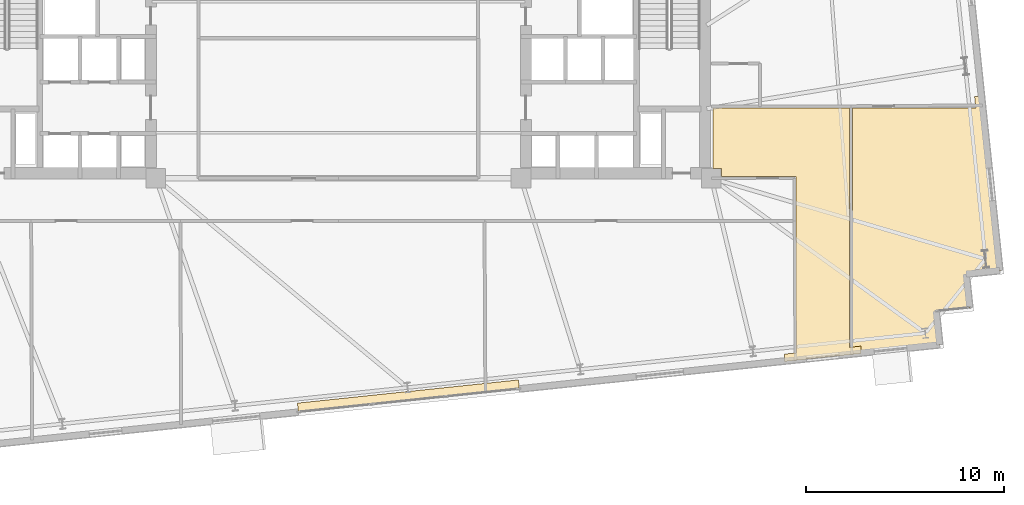
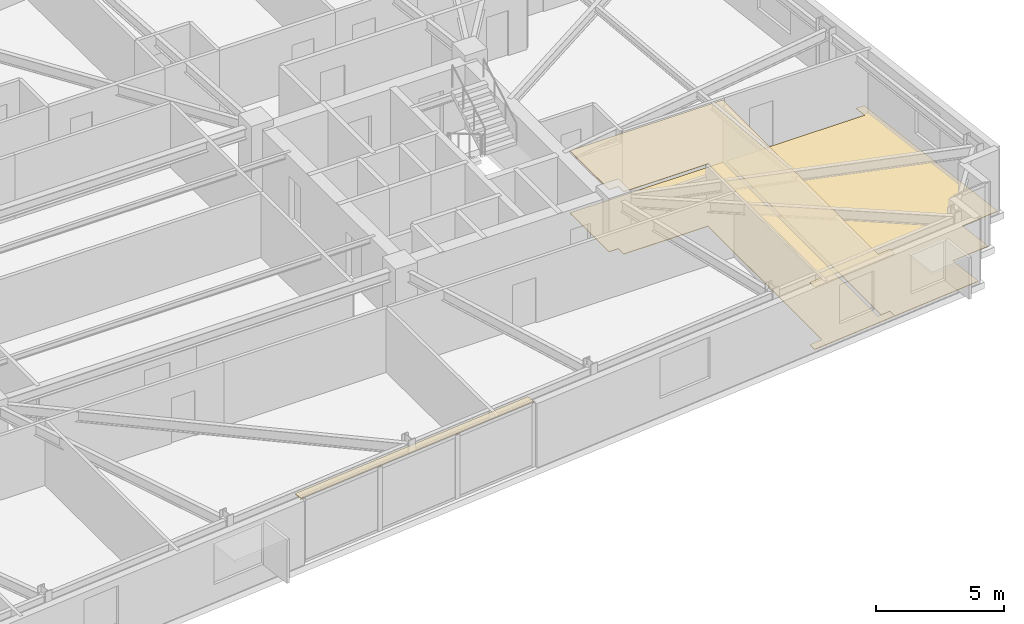
# One storey, part 22 of 23: 4 coverings.
"""IFC4 building model written with IfcOpenShell, lengths in metres."""

from ifc_helpers import new_model, si_unit, direction, frame, origin, place, context, subcontext, project, spatial, polyline, outline, extrude, material, layer, layer_set, type_object, element, save


model = new_model("IFC4")

# Units and contexts
model_context = context("Model", 3, precision=1e-05, world=origin(), true_north=direction((0.0, 1.0)))
body_context = subcontext(model_context, "Body", "Model", "MODEL_VIEW")
ifc_project = project(units=[si_unit("LENGTHUNIT", "METRE"), si_unit("AREAUNIT", "SQUARE_METRE"), si_unit("VOLUMEUNIT", "CUBIC_METRE"), si_unit("PLANEANGLEUNIT", "RADIAN"), si_unit("MASSUNIT", "GRAM", prefix="KILO")], contexts=[model_context])

# Site, building, storey
site_placement = place(None, origin())
site = spatial("IfcSite", under=ifc_project, at=site_placement, CompositionType="ELEMENT")
building_placement = place(site_placement, origin())
building = spatial("IfcBuilding", under=site, at=building_placement, Name="Qobustan Lattice House", CompositionType="ELEMENT")
storey_placement = place(building_placement, frame((0.0, 0.0, 102.449951171875)))
storey = spatial("IfcBuildingStorey", under=building, at=storey_placement, Name="L28", CompositionType="ELEMENT", Elevation=102.449951171875)

# Coverings
ifc_material_1 = material(Name="Perforated gypsum acoustic ceiling", Category="gypsum")
ifc_layer_1 = layer(ifc_material_1, 0.030029296875)
ifc_layer_set_1 = layer_set([ifc_layer_1], Name="Perforated gypsum acoustic ceiling")
covering_type_1 = type_object("IfcCoveringType", Name="COV-ACOUSTIC-CEIL", PredefinedType="CEILING", material=ifc_layer_set_1)
covering_1_placement = place(storey_placement, frame((0.0, 0.0, 2.955078125)))
element("IfcCovering", 1, at=covering_1_placement, inside=storey, type_object=covering_type_1, Name="L28 Focus study room E1A acoustic ceiling", PredefinedType="CEILING", context=body_context, shape_type="SweptSolid", body=[
    extrude(outline(polyline([(26.335693359375, -14.433349609375), (26.335693359375, -14.061279296875), (25.755859375, -14.122314453125), (25.755859375, -2.052001953125), (18.8798828125, -2.052001953125), (18.8798828125, -5.097900390625), (19.302001953125, -5.097900390625), (19.302001953125, -5.52001953125), (23.080078125, -5.52001953125), (23.080078125, -14.403564453125), (22.5, -14.46435546875), (22.5, -14.83642578125), (26.335693359375, -14.433349609375)])), origin(), (0.0, 0.0, 1.0), 0.030029296875),
])
ifc_material_2 = material(Name="Honed Absheron stone terrazzo flooring", Category="masonry")
ifc_layer_2 = layer(ifc_material_2, 0.02490234375)
ifc_layer_set_2 = layer_set([ifc_layer_2], Name="Honed Absheron stone terrazzo flooring")
covering_type_2 = type_object("IfcCoveringType", Name="COV-TERRAZZO-FLR", PredefinedType="FLOORING", material=ifc_layer_set_2)
covering_2_placement = place(storey_placement, origin())
element("IfcCovering", 2, at=covering_2_placement, inside=storey, type_object=covering_type_2, Name="L28 Focus study room E1A stone terrazzo flooring", PredefinedType="FLOORING", context=body_context, shape_type="SweptSolid", body=[
    extrude(outline(polyline([(26.335693359375, -14.433349609375), (26.335693359375, -14.061279296875), (25.755859375, -14.122314453125), (25.755859375, -2.052001953125), (18.8798828125, -2.052001953125), (18.8798828125, -5.097900390625), (19.302001953125, -5.097900390625), (19.302001953125, -5.52001953125), (23.080078125, -5.52001953125), (23.080078125, -14.403564453125), (22.5, -14.46435546875), (22.5, -14.83642578125), (26.335693359375, -14.433349609375)])), origin(), (0.0, 0.0, 1.0), 0.025146484375),
])
covering_3_placement = place(storey_placement, origin())
element("IfcCovering", 3, at=covering_3_placement, inside=storey, type_object=covering_type_2, Name="L28 Focus study room E1B stone terrazzo flooring", PredefinedType="FLOORING", context=body_context, shape_type="SweptSolid", body=[
    extrude(outline(polyline([(33.3662109375, -10.275634765625), (32.44091796875, -1.471923828125), (32.06884765625, -1.471923828125), (32.1298828125, -2.052001953125), (25.915771484375, -2.052001953125), (25.915771484375, -14.10546875), (25.335693359375, -14.16650390625), (25.335693359375, -14.538330078125), (30.34033203125, -14.012451171875), (30.16259765625, -12.32177734375), (31.853271484375, -12.14404296875), (31.675537109375, -10.453369140625), (33.3662109375, -10.275634765625)])), origin(), (0.0, 0.0, 1.0), 0.025146484375),
])
ifc_material_3 = material(Name="Persian walnut timber lining", Category="wood")
ifc_layer_3 = layer(ifc_material_3, 0.0380859375)
ifc_layer_set_3 = layer_set([ifc_layer_3], Name="Persian walnut timber lining")
covering_type_3 = type_object("IfcCoveringType", Name="COV-WALNUT-IWAN", PredefinedType="CLADDING", material=ifc_layer_set_3)
covering_4_placement = place(storey_placement, frame((0.0, 0.0, 3.007080078125)))
element("IfcCovering", 4, at=covering_4_placement, inside=storey, type_object=covering_type_3, Name="L28 IWAN-2 Persian walnut soffit cladding", PredefinedType="CLADDING", context=body_context, shape_type="SweptSolid", body=[
    extrude(outline(polyline([(9.118896484375, -16.16259765625), (-2.02001953125, -17.333251953125), (-2.061767578125, -16.935302734375), (9.076904296875, -15.7646484375), (9.118896484375, -16.16259765625)])), origin(), (0.0, 0.0, 1.0), 0.0380859375),
])

save(model, "model.ifc")
